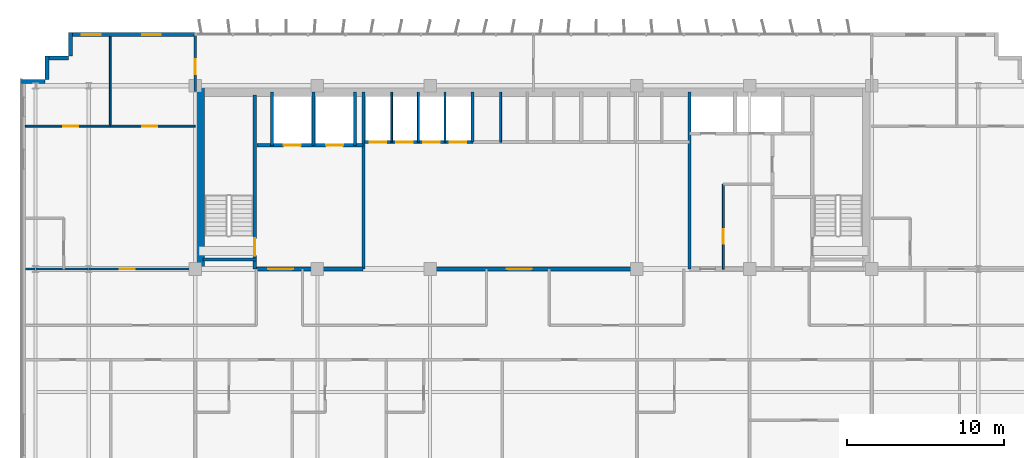
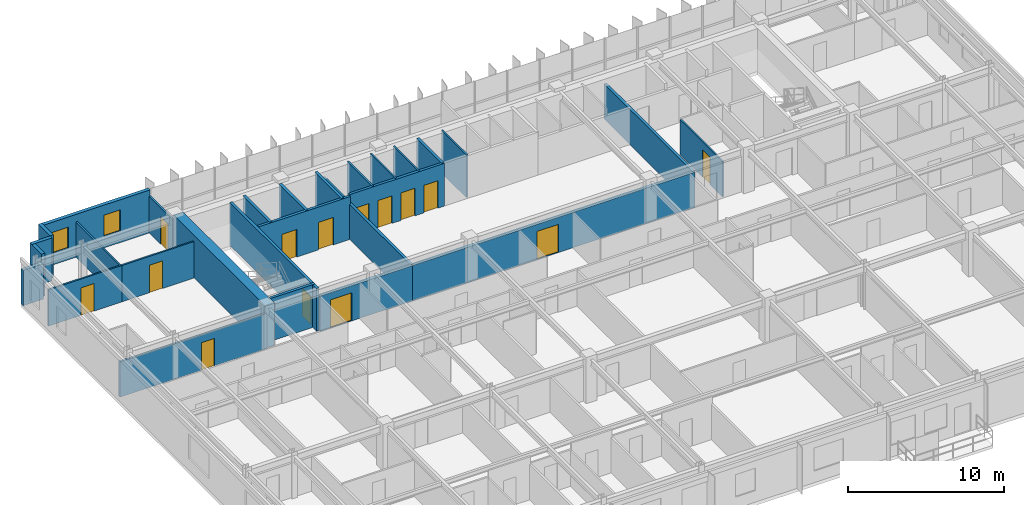
# One storey, part 17 of 22: 28 walls, 14 doors, 2 windows, 16 openings.
"""IFC4 building model written with IfcOpenShell, lengths in metres."""

from ifc_helpers import new_model, si_unit, direction, frame, frame_2d, origin, place, context, subcontext, project, spatial, rectangle, extrude, source, transform, mapped, material, layer, layer_set, type_object, element, fill, save


model = new_model("IFC4")

# Units and contexts
model_context = context("Model", 3, precision=1e-05, world=origin(), true_north=direction((0.0, 1.0)))
body_context = subcontext(model_context, "Body", "Model", "MODEL_VIEW")
ifc_project = project(units=[si_unit("LENGTHUNIT", "METRE"), si_unit("AREAUNIT", "SQUARE_METRE"), si_unit("VOLUMEUNIT", "CUBIC_METRE"), si_unit("PLANEANGLEUNIT", "RADIAN"), si_unit("MASSUNIT", "GRAM", prefix="KILO")], contexts=[model_context])

# Site, building, storey
site_placement = place(None, origin())
site = spatial("IfcSite", under=ifc_project, at=site_placement, CompositionType="ELEMENT")
building_placement = place(site_placement, origin())
building = spatial("IfcBuilding", under=site, at=building_placement, Name="Trelvane Seafront Commons", CompositionType="ELEMENT")
storey_placement = place(building_placement, frame((0.0, 0.0, 117.699951171875)))
storey = spatial("IfcBuildingStorey", under=building, at=storey_placement, Name="L30", CompositionType="ELEMENT", Elevation=117.699951171875)

# Wall, openings, windows
ifc_material_1 = material(Name="Precast concrete C40/50", Category="concrete")
ifc_layer_1 = layer(ifc_material_1, 0.260009765625, Name="ARCH-WALL-EXT260")
ifc_layer_set_1 = layer_set([ifc_layer_1], Name="Precast concrete C40/50")
wall_type_1 = type_object("IfcWallType", Name="ARCH-WALL-EXT260", PredefinedType="SOLIDWALL", material=ifc_layer_set_1)
wall_1_placement = place(storey_placement, frame((7.60009765625, 48.3701171875, 0.0), z_axis=(0.0, 0.0, 1.0), x_axis=(1.0, 0.0, 0.0)))
wall_1 = element("IfcWall", 1, at=wall_1_placement, inside=storey, type_object=wall_type_1, Name="EW-L30-NW-0559", PredefinedType="SOLIDWALL", context=body_context, shape_type="SweptSolid", body=[
    extrude(rectangle(XDim=8.0, YDim=0.260009765625, at=frame_2d((4.0, 0.0))), origin(), (0.0, 0.0, 1.0), 3.340087890625),
])
opening_1_placement = place(wall_1_placement, frame((0.76806640625, 0.0, 0.89990234375)))
opening_1 = element("IfcOpeningElement", 2, at=opening_1_placement, cuts=wall_1, Name="Opening W05", PredefinedType="OPENING", context=body_context, shape_type="SweptSolid", body=[
    extrude(rectangle(XDim=1.199951171875, YDim=1.64990234375, at=frame_2d((0.60009765625, 0.824951171875))), frame((0.0, 0.139892578125, 0.0), z_axis=(0.0, -1.0, 0.0), x_axis=(1.0, 0.0, 0.0)), (0.0, 0.0, 1.0), 0.280029296875),
])
opening_2_placement = place(wall_1_placement, frame((4.60791015625, 0.0, 0.89990234375)))
opening_2 = element("IfcOpeningElement", 3, at=opening_2_placement, cuts=wall_1, Name="Opening W05", PredefinedType="OPENING", context=body_context, shape_type="SweptSolid", body=[
    extrude(rectangle(XDim=1.199951171875, YDim=1.64990234375, at=frame_2d((0.60009765625, 0.824951171875))), frame((0.0, 0.139892578125, 0.0), z_axis=(0.0, -1.0, 0.0), x_axis=(1.0, 0.0, 0.0)), (0.0, 0.0, 1.0), 0.280029296875),
])
ifc_material_2 = material(Name="Low-E coastal double glazing", Category="glass")
window_type = type_object("IfcWindowType", Name="ARCH-WIN-W05", PartitioningType="SINGLE_PANEL", PredefinedType="WINDOW", material=ifc_material_2)
shared_shape_1 = source(origin(), body_context, "Body", "SweptSolid", [
    extrude(rectangle(XDim=1.199951171875, YDim=1.64990234375, at=frame_2d((0.60009765625, 0.824951171875))), frame((0.0, 0.030029296875, 0.0), z_axis=(0.0, -1.0, 0.0), x_axis=(1.0, 0.0, 0.0)), (0.0, 0.0, 1.0), 0.06005859375),
])
window_1_placement = place(opening_1_placement, origin())
window_1 = element("IfcWindow", 4, at=window_1_placement, inside=storey, type_object=window_type, Name="WIN-L30-00665", OverallHeight=1.64990234375, OverallWidth=1.199951171875, PartitioningType="SINGLE_PANEL", PredefinedType="WINDOW", context=body_context, shape_type="MappedRepresentation", body=[
    mapped(shared_shape_1, transform((0.0, 0.0, 0.0), x_axis=(1.0, 0.0, 0.0), y_axis=(0.0, 1.0, 0.0), z_axis=(0.0, 0.0, 1.0), scale=1.0)),
])
fill(opening_1, window_1)
window_2_placement = place(opening_2_placement, origin())
window_2 = element("IfcWindow", 5, at=window_2_placement, inside=storey, type_object=window_type, Name="WIN-L30-00666", OverallHeight=1.64990234375, OverallWidth=1.199951171875, PartitioningType="SINGLE_PANEL", PredefinedType="WINDOW", context=body_context, shape_type="MappedRepresentation", body=[
    mapped(shared_shape_1, transform((0.0, 0.0, 0.0), x_axis=(1.0, 0.0, 0.0), y_axis=(0.0, 1.0, 0.0), z_axis=(0.0, 0.0, 1.0), scale=1.0)),
])
fill(opening_2, window_2)

# Walls
wall_2_placement = place(storey_placement, frame((4.5, 45.3701171875, 0.0), z_axis=(0.0, 0.0, 1.0), x_axis=(1.0, 0.0, 0.0)))
element("IfcWall", 6, at=wall_2_placement, inside=storey, type_object=wall_type_1, Name="EW-L30-00565", PredefinedType="SOLIDWALL", context=body_context, shape_type="SweptSolid", body=[
    extrude(rectangle(XDim=1.5, YDim=0.260009765625, at=frame_2d((0.75, 0.0))), origin(), (0.0, 0.0, 1.0), 2.751953125),
])
for number, where, z_axis, x_axis, name in (
    (7, (6.1298828125, 45.5, 0.0), (0.0, 0.0, 1.0), (0.0, 1.0, 0.0), "EW-L30-00566"),
    (8, (6.0, 46.8701171875, 0.0), (0.0, 0.0, 1.0), (1.0, 0.0, 0.0), "EW-L30-00567"),
    (9, (7.6298828125, 47.0, 0.0), (0.0, 0.0, 1.0), (0.0, 1.0, 0.0), "EW-L30-00568"),
):
    element("IfcWall", number, at=place(storey_placement, frame(where, z_axis=z_axis, x_axis=x_axis)), inside=storey, type_object=wall_type_1, Name=name, PredefinedType="SOLIDWALL", context=body_context, shape_type="SweptSolid", body=[
        extrude(rectangle(XDim=1.5, YDim=0.260009765625, at=frame_2d((0.75, 0.0))), origin(), (0.0, 0.0, 1.0), 3.340087890625),
    ])

# Wall, opening, door
ifc_material_3 = material(Name="Concrete C40/50", Category="concrete")
ifc_layer_2 = layer(ifc_material_3, 0.25, Name="ARCH-WALL-FIRE250")
ifc_layer_set_2 = layer_set([ifc_layer_2], Name="Concrete C40/50")
wall_type_2 = type_object("IfcWallType", Name="ARCH-WALL-FIRE250", PredefinedType="PARTITIONING", material=ifc_layer_set_2)
wall_3_placement = place(storey_placement, frame((19.5, 33.39990234375, 0.0), z_axis=(0.0, 0.0, 1.0), x_axis=(1.0, 0.0, 0.0)))
wall_3 = element("IfcWall", 10, at=wall_3_placement, inside=storey, type_object=wall_type_2, Name="W-L30-CS-FFL-013", PredefinedType="PARTITIONING", context=body_context, shape_type="SweptSolid", body=[
    extrude(rectangle(XDim=6.800048828125, YDim=0.25, at=frame_2d((3.39990234375, 0.0))), origin(), (0.0, 0.0, 1.0), 2.751953125),
])
opening_3_placement = place(wall_3_placement, frame((0.75, 0.0, 0.0)))
opening_3 = element("IfcOpeningElement", 11, at=opening_3_placement, cuts=wall_3, Name="Opening FD-L30-05", PredefinedType="OPENING", context=body_context, shape_type="SweptSolid", body=[
    extrude(rectangle(XDim=1.60009765625, YDim=2.199951171875, at=frame_2d((0.800048828125, 1.10009765625))), frame((0.0, 0.135009765625, 0.0), z_axis=(0.0, -1.0, 0.0), x_axis=(1.0, 0.0, 0.0)), (0.0, 0.0, 1.0), 0.27001953125),
])
ifc_material_4 = material(Name="Powder-coated aluminium frame", Category="aluminium")
door_type_1 = type_object("IfcDoorType", Name="ARCH-DR-FD60-1600", OperationType="DOUBLE_DOOR_SINGLE_SWING", PredefinedType="DOOR", material=ifc_material_4)
shared_shape_2 = source(origin(), body_context, "Body", "SweptSolid", [
    extrude(rectangle(XDim=1.60009765625, YDim=2.199951171875, at=frame_2d((0.800048828125, 1.10009765625))), frame((0.0, 0.02490234375, 0.0), z_axis=(0.0, -1.0, 0.0), x_axis=(1.0, 0.0, 0.0)), (0.0, 0.0, 1.0), 0.050048828125),
])
door_1_placement = place(opening_3_placement, origin())
door_1 = element("IfcDoor", 12, at=door_1_placement, inside=storey, type_object=door_type_1, Name="L30 Firefighting Lift Lobby Double Fire Door", OperationType="DOUBLE_DOOR_SINGLE_SWING", OverallHeight=2.199951171875, OverallWidth=1.60009765625, PredefinedType="DOOR", context=body_context, shape_type="MappedRepresentation", body=[
    mapped(shared_shape_2, transform((0.0, 0.0, 0.0), x_axis=(1.0, 0.0, 0.0), y_axis=(0.0, 1.0, 0.0), z_axis=(0.0, 0.0, 1.0), scale=1.0)),
])
fill(opening_3, door_1)

wall_4_placement = place(storey_placement, frame((26.300048828125, 33.39990234375, 0.0), z_axis=(0.0, 0.0, 1.0), x_axis=(1.0, 0.0, 0.0)))
wall_4 = element("IfcWall", 13, at=wall_4_placement, inside=storey, type_object=wall_type_2, Name="W-L30-CS-PAX-029", PredefinedType="PARTITIONING", context=body_context, shape_type="SweptSolid", body=[
    extrude(rectangle(XDim=20.849853515625, YDim=0.25, at=frame_2d((10.4248046875, 0.0))), origin(), (0.0, 0.0, 1.0), 2.751953125),
])
opening_4_placement = place(wall_4_placement, frame((9.199951171875, 0.0, 0.0)))
opening_4 = element("IfcOpeningElement", 14, at=opening_4_placement, cuts=wall_4, Name="Opening FD-L30-10", PredefinedType="OPENING", context=body_context, shape_type="SweptSolid", body=[
    extrude(rectangle(XDim=1.60009765625, YDim=2.199951171875, at=frame_2d((0.800048828125, 1.10009765625))), frame((0.0, 0.135009765625, 0.0), z_axis=(0.0, -1.0, 0.0), x_axis=(1.0, 0.0, 0.0)), (0.0, 0.0, 1.0), 0.27001953125),
])
door_2_placement = place(opening_4_placement, origin())
door_2 = element("IfcDoor", 15, at=door_2_placement, inside=storey, type_object=door_type_1, Name="L30 Passenger Lift Lobby Double Door", OperationType="DOUBLE_DOOR_SINGLE_SWING", OverallHeight=2.199951171875, OverallWidth=1.60009765625, PredefinedType="DOOR", context=body_context, shape_type="MappedRepresentation", body=[
    mapped(shared_shape_2, transform((0.0, 0.0, 0.0), x_axis=(1.0, 0.0, 0.0), y_axis=(0.0, 1.0, 0.0), z_axis=(0.0, 0.0, 1.0), scale=1.0)),
])
fill(opening_4, door_2)

# Walls
ifc_material_5 = material(Name="Gypsum Drywall Acoustic Partition")
ifc_layer_3 = layer(ifc_material_5, 0.1201171875, Name="ARCH-WALL-PART120")
ifc_layer_set_3 = layer_set([ifc_layer_3], Name="Gypsum Drywall Acoustic Partition")
wall_type_3 = type_object("IfcWallType", Name="ARCH-WALL-PART120", PredefinedType="PARTITIONING", material=ifc_layer_set_3)
for number, where, z_axis, x_axis, name in (
    (16, (28.14990234375, 41.5, 0.0), (0.0, 0.0, 1.0), (0.0, 1.0, 0.0), "W-L30-PL-DIV1-016"),
    (17, (29.85009765625, 41.5, 0.0), (0.0, 0.0, 1.0), (0.0, 1.0, 0.0), "W-L30-PL-DIV2-017"),
    (18, (31.550048828125, 41.5, 0.0), (0.0, 0.0, 1.0), (0.0, 1.0, 0.0), "W-L30-PL-DIV3-018"),
    (19, (35.10009765625, 41.5, 0.0), (0.0, 0.0, 1.0), (0.0, 1.0, 0.0), "W-L30-PM-DIV1-020"),
):
    element("IfcWall", number, at=place(storey_placement, frame(where, z_axis=z_axis, x_axis=x_axis)), inside=storey, type_object=wall_type_3, Name=name, PredefinedType="PARTITIONING", context=body_context, shape_type="SweptSolid", body=[
        extrude(rectangle(XDim=3.199951171875, YDim=0.1201171875, at=frame_2d((1.60009765625, 0.0))), origin(), (0.0, 0.0, 1.0), 3.340087890625),
    ])

# Wall, opening, door
wall_5_placement = place(storey_placement, frame((49.320068359375, 33.39990234375, 0.0), z_axis=(0.0, 0.0, 1.0), x_axis=(0.0, 1.0, 0.0)))
wall_5 = element("IfcWall", 20, at=wall_5_placement, inside=storey, type_object=wall_type_3, Name="W-L30-CYC2-V-035", PredefinedType="PARTITIONING", context=body_context, shape_type="SweptSolid", body=[
    extrude(rectangle(XDim=5.420166015625, YDim=0.1201171875, at=frame_2d((2.7099609375, 0.0))), origin(), (0.0, 0.0, 1.0), 2.751953125),
])
opening_5_placement = place(wall_5_placement, frame((1.60009765625, 0.0, 0.0)))
opening_5 = element("IfcOpeningElement", 21, at=opening_5_placement, cuts=wall_5, Name="Opening D-L30-14", PredefinedType="OPENING", context=body_context, shape_type="SweptSolid", body=[
    extrude(rectangle(XDim=0.949951171875, YDim=2.14990234375, at=frame_2d((0.47509765625, 1.074951171875))), frame((0.0, 0.070068359375, 0.0), z_axis=(0.0, -1.0, 0.0), x_axis=(1.0, 0.0, 0.0)), (0.0, 0.0, 1.0), 0.14013671875),
])
ifc_material_6 = material(Name="Acoustic timber door leaf", Category="wood")
door_type_2 = type_object("IfcDoorType", Name="ARCH-DR-INT950", OperationType="NOTDEFINED", PredefinedType="DOOR", material=ifc_material_6)
shared_shape_3 = source(origin(), body_context, "Body", "SweptSolid", [
    extrude(rectangle(XDim=0.949951171875, YDim=2.14990234375, at=frame_2d((0.47509765625, 1.074951171875))), frame((0.0, 0.02490234375, 0.0), z_axis=(0.0, -1.0, 0.0), x_axis=(1.0, 0.0, 0.0)), (0.0, 0.0, 1.0), 0.050048828125),
])
door_3_placement = place(opening_5_placement, origin())
door_3 = element("IfcDoor", 22, at=door_3_placement, inside=storey, type_object=door_type_2, Name="L30 Accessible WC Door", OperationType="SINGLE_SWING_RIGHT", OverallHeight=2.14990234375, OverallWidth=0.949951171875, PredefinedType="DOOR", context=body_context, shape_type="MappedRepresentation", body=[
    mapped(shared_shape_3, transform((0.0, 0.0, 0.0), x_axis=(1.0, 0.0, 0.0), y_axis=(0.0, 1.0, 0.0), z_axis=(0.0, 0.0, 1.0), scale=1.0)),
])
fill(opening_5, door_3)

wall_6_placement = place(storey_placement, frame((4.75, 42.52001953125, 0.0), z_axis=(0.0, 0.0, 1.0), x_axis=(1.0, 0.0, 0.0)))
wall_6 = element("IfcWall", 23, at=wall_6_placement, inside=storey, type_object=wall_type_3, Name="W-L30-NW-KB1-051", PredefinedType="PARTITIONING", context=body_context, shape_type="SweptSolid", body=[
    extrude(rectangle(XDim=5.425048828125, YDim=0.1201171875, at=frame_2d((2.71240234375, 0.0))), origin(), (0.0, 0.0, 1.0), 2.840087890625),
])
opening_6_placement = place(wall_6_placement, frame((2.423095703125, 0.0, 0.0)))
opening_6 = element("IfcOpeningElement", 24, at=opening_6_placement, cuts=wall_6, Name="Opening D-L30-23", PredefinedType="OPENING", context=body_context, shape_type="SweptSolid", body=[
    extrude(rectangle(XDim=0.949951171875, YDim=2.14990234375, at=frame_2d((0.47509765625, 1.074951171875))), frame((0.0, 0.070068359375, 0.0), z_axis=(0.0, -1.0, 0.0), x_axis=(1.0, 0.0, 0.0)), (0.0, 0.0, 1.0), 0.14013671875),
])
door_4_placement = place(opening_6_placement, origin())
door_4 = element("IfcDoor", 25, at=door_4_placement, inside=storey, type_object=door_type_2, Name="L30 Door 23", OperationType="SINGLE_SWING_LEFT", OverallHeight=2.14990234375, OverallWidth=0.949951171875, PredefinedType="DOOR", context=body_context, shape_type="MappedRepresentation", body=[
    mapped(shared_shape_3, transform((0.0, 0.0, 0.0), x_axis=(1.0, 0.0, 0.0), y_axis=(0.0, 1.0, 0.0), z_axis=(0.0, 0.0, 1.0), scale=1.0)),
])
fill(opening_6, door_4)

wall_7_placement = place(storey_placement, frame((10.175048828125, 42.52001953125, 0.0), z_axis=(0.0, 0.0, 1.0), x_axis=(1.0, 0.0, 0.0)))
wall_7 = element("IfcWall", 26, at=wall_7_placement, inside=storey, type_object=wall_type_3, Name="W-L30-NW-KB2-052", PredefinedType="PARTITIONING", context=body_context, shape_type="SweptSolid", body=[
    extrude(rectangle(XDim=5.425048828125, YDim=0.1201171875, at=frame_2d((2.71240234375, 0.0))), origin(), (0.0, 0.0, 1.0), 2.840087890625),
])
opening_7_placement = place(wall_7_placement, frame((2.052001953125, 0.0, 0.0)))
opening_7 = element("IfcOpeningElement", 27, at=opening_7_placement, cuts=wall_7, Name="Opening D-L30-24", PredefinedType="OPENING", context=body_context, shape_type="SweptSolid", body=[
    extrude(rectangle(XDim=0.949951171875, YDim=2.14990234375, at=frame_2d((0.47509765625, 1.074951171875))), frame((0.0, 0.070068359375, 0.0), z_axis=(0.0, -1.0, 0.0), x_axis=(1.0, 0.0, 0.0)), (0.0, 0.0, 1.0), 0.14013671875),
])
door_5_placement = place(opening_7_placement, origin())
door_5 = element("IfcDoor", 28, at=door_5_placement, inside=storey, type_object=door_type_2, Name="L30 Door 24", OperationType="SINGLE_SWING_RIGHT", OverallHeight=2.14990234375, OverallWidth=0.949951171875, PredefinedType="DOOR", context=body_context, shape_type="MappedRepresentation", body=[
    mapped(shared_shape_3, transform((0.0, 0.0, 0.0), x_axis=(1.0, 0.0, 0.0), y_axis=(0.0, 1.0, 0.0), z_axis=(0.0, 0.0, 1.0), scale=1.0)),
])
fill(opening_7, door_5)

# Wall
wall_8_placement = place(storey_placement, frame((10.175048828125, 42.52001953125, 0.0), z_axis=(0.0, 0.0, 1.0), x_axis=(0.0, 1.0, 0.0)))
element("IfcWall", 29, at=wall_8_placement, inside=storey, type_object=wall_type_3, Name="W-L30-NW-KBDV-053", PredefinedType="PARTITIONING", context=body_context, shape_type="SweptSolid", body=[
    extrude(rectangle(XDim=5.719970703125, YDim=0.1201171875, at=frame_2d((2.85986328125, 0.0))), origin(), (0.0, 0.0, 1.0), 2.751953125),
])

# Wall, opening, door
ifc_layer_4 = layer(ifc_material_5, 0.14990234375, Name="ARCH-WALL-PART150")
ifc_layer_set_4 = layer_set([ifc_layer_4], Name="Gypsum Drywall Acoustic Partition")
wall_type_4 = type_object("IfcWallType", Name="ARCH-WALL-PART150", PredefinedType="PARTITIONING", material=ifc_layer_set_4)
wall_9_placement = place(storey_placement, frame((4.75, 33.39990234375, 0.0), z_axis=(0.0, 0.0, 1.0), x_axis=(1.0, 0.0, 0.0)))
wall_9 = element("IfcWall", 30, at=wall_9_placement, inside=storey, type_object=wall_type_4, Name="W-L30-NW-ENT-054", PredefinedType="PARTITIONING", context=body_context, shape_type="SweptSolid", body=[
    extrude(rectangle(XDim=10.85009765625, YDim=0.14990234375, at=frame_2d((5.425048828125, 0.0))), origin(), (0.0, 0.0, 1.0), 2.751953125),
])
opening_8_placement = place(wall_9_placement, frame((6.02490234375, 0.0, 0.0)))
opening_8 = element("IfcOpeningElement", 31, at=opening_8_placement, cuts=wall_9, Name="Opening FD-L30-25", PredefinedType="OPENING", context=body_context, shape_type="SweptSolid", body=[
    extrude(rectangle(XDim=0.949951171875, YDim=2.14990234375, at=frame_2d((0.47509765625, 1.074951171875))), frame((0.0, 0.0849609375, 0.0), z_axis=(0.0, -1.0, 0.0), x_axis=(1.0, 0.0, 0.0)), (0.0, 0.0, 1.0), 0.169921875),
])
door_type_3 = type_object("IfcDoorType", Name="ARCH-DR-FD60-950", OperationType="NOTDEFINED", PredefinedType="DOOR", material=ifc_material_4)
door_6_placement = place(opening_8_placement, origin())
door_6 = element("IfcDoor", 32, at=door_6_placement, inside=storey, type_object=door_type_3, Name="L30 NW Flat Entrance Door", OperationType="SINGLE_SWING_LEFT", OverallHeight=2.14990234375, OverallWidth=0.949951171875, PredefinedType="DOOR", context=body_context, shape_type="MappedRepresentation", body=[
    mapped(shared_shape_3, transform((0.0, 0.0, 0.0), x_axis=(1.0, 0.0, 0.0), y_axis=(0.0, 1.0, 0.0), z_axis=(0.0, 0.0, 1.0), scale=1.0)),
])
fill(opening_8, door_6)

wall_10_placement = place(storey_placement, frame((15.60009765625, 44.75, 0.0), z_axis=(0.0, 0.0, 1.0), x_axis=(0.0, 1.0, 0.0)))
wall_10 = element("IfcWall", 33, at=wall_10_placement, inside=storey, type_object=wall_type_4, Name="W-L30-N-LINK-W-062", PredefinedType="PARTITIONING", context=body_context, shape_type="SweptSolid", body=[
    extrude(rectangle(XDim=3.610107421875, YDim=0.14990234375, at=frame_2d((1.80517578125, 0.0))), origin(), (0.0, 0.0, 1.0), 2.840087890625),
])
opening_9_placement = place(wall_10_placement, frame((1.10009765625, 0.0, 0.0)))
opening_9 = element("IfcOpeningElement", 34, at=opening_9_placement, cuts=wall_10, Name="Opening FD-L30-31", PredefinedType="OPENING", context=body_context, shape_type="SweptSolid", body=[
    extrude(rectangle(XDim=0.949951171875, YDim=2.14990234375, at=frame_2d((0.47509765625, 1.074951171875))), frame((0.0, 0.0849609375, 0.0), z_axis=(0.0, -1.0, 0.0), x_axis=(1.0, 0.0, 0.0)), (0.0, 0.0, 1.0), 0.169921875),
])
door_7_placement = place(opening_9_placement, origin())
door_7 = element("IfcDoor", 35, at=door_7_placement, inside=storey, type_object=door_type_3, Name="L30 Door 31", OperationType="SINGLE_SWING_LEFT", OverallHeight=2.14990234375, OverallWidth=0.949951171875, PredefinedType="DOOR", context=body_context, shape_type="MappedRepresentation", body=[
    mapped(shared_shape_3, transform((0.0, 0.0, 0.0), x_axis=(1.0, 0.0, 0.0), y_axis=(0.0, 1.0, 0.0), z_axis=(0.0, 0.0, 1.0), scale=1.0)),
])
fill(opening_9, door_7)

# Wall, openings, doors
ifc_layer_5 = layer(ifc_material_3, 0.199951171875, Name="ARCH-WALL-SHAFT200")
ifc_layer_set_5 = layer_set([ifc_layer_5], Name="Concrete C40/50")
wall_type_5 = type_object("IfcWallType", Name="ARCH-WALL-SHAFT200", PredefinedType="SOLIDWALL", material=ifc_layer_set_5)
wall_11_placement = place(storey_placement, frame((19.550048828125, 41.300048828125, 0.0), z_axis=(0.0, 0.0, 1.0), x_axis=(1.0, 0.0, 0.0)))
wall_11 = element("IfcWall", 36, at=wall_11_placement, inside=storey, type_object=wall_type_5, Name="W-L30-FFL-FRONT-008", PredefinedType="SOLIDWALL", context=body_context, shape_type="SweptSolid", body=[
    extrude(rectangle(XDim=6.75, YDim=0.199951171875, at=frame_2d((3.375, 0.0))), origin(), (0.0, 0.0, 1.0), 3.340087890625),
])
opening_10_placement = place(wall_11_placement, frame((1.699951171875, 0.0, 0.0)))
opening_10 = element("IfcOpeningElement", 37, at=opening_10_placement, cuts=wall_11, Name="Opening LD-FF1-L30", PredefinedType="OPENING", context=body_context, shape_type="SweptSolid", body=[
    extrude(rectangle(XDim=1.10009765625, YDim=2.14990234375, at=frame_2d((0.550048828125, 1.074951171875))), frame((0.0, 0.10986328125, 0.0), z_axis=(0.0, -1.0, 0.0), x_axis=(1.0, 0.0, 0.0)), (0.0, 0.0, 1.0), 0.219970703125),
])
opening_11_placement = place(wall_11_placement, frame((4.39990234375, 0.0, 0.0)))
opening_11 = element("IfcOpeningElement", 38, at=opening_11_placement, cuts=wall_11, Name="Opening LD-FF2-L30", PredefinedType="OPENING", context=body_context, shape_type="SweptSolid", body=[
    extrude(rectangle(XDim=1.10009765625, YDim=2.14990234375, at=frame_2d((0.550048828125, 1.074951171875))), frame((0.0, 0.10986328125, 0.0), z_axis=(0.0, -1.0, 0.0), x_axis=(1.0, 0.0, 0.0)), (0.0, 0.0, 1.0), 0.219970703125),
])
ifc_material_7 = material(Name="Stainless steel balustrade", Category="steel")
door_type_4 = type_object("IfcDoorType", Name="ARCH-DR-LD1100", OperationType="DOUBLE_DOOR_SLIDING", PredefinedType="DOOR", material=ifc_material_7)
shared_shape_4 = source(origin(), body_context, "Body", "SweptSolid", [
    extrude(rectangle(XDim=1.10009765625, YDim=2.14990234375, at=frame_2d((0.550048828125, 1.074951171875))), frame((0.0, 0.02490234375, 0.0), z_axis=(0.0, -1.0, 0.0), x_axis=(1.0, 0.0, 0.0)), (0.0, 0.0, 1.0), 0.050048828125),
])
door_8_placement = place(opening_10_placement, origin())
door_8 = element("IfcDoor", 39, at=door_8_placement, inside=storey, type_object=door_type_4, Name="L30 Firefighting Lift FFL-1 Landing Door", OperationType="DOUBLE_DOOR_SLIDING", OverallHeight=2.14990234375, OverallWidth=1.10009765625, PredefinedType="DOOR", context=body_context, shape_type="MappedRepresentation", body=[
    mapped(shared_shape_4, transform((0.0, 0.0, 0.0), x_axis=(1.0, 0.0, 0.0), y_axis=(0.0, 1.0, 0.0), z_axis=(0.0, 0.0, 1.0), scale=1.0)),
])
fill(opening_10, door_8)
door_9_placement = place(opening_11_placement, origin())
door_9 = element("IfcDoor", 40, at=door_9_placement, inside=storey, type_object=door_type_4, Name="L30 Firefighting Lift FFL-2 Landing Door", OperationType="DOUBLE_DOOR_SLIDING", OverallHeight=2.14990234375, OverallWidth=1.10009765625, PredefinedType="DOOR", context=body_context, shape_type="MappedRepresentation", body=[
    mapped(shared_shape_4, transform((0.0, 0.0, 0.0), x_axis=(1.0, 0.0, 0.0), y_axis=(0.0, 1.0, 0.0), z_axis=(0.0, 0.0, 1.0), scale=1.0)),
])
fill(opening_11, door_9)

# Walls
for number, where, z_axis, x_axis, name in (
    (41, (20.5, 41.300048828125, 0.0), (0.0, 0.0, 1.0), (0.0, 1.0, 0.0), "W-L30-FFL-SH-W-009"),
    (42, (23.14990234375, 41.300048828125, 0.0), (0.0, 0.0, 1.0), (0.0, 1.0, 0.0), "W-L30-FFL-DIV-010"),
    (43, (25.800048828125, 41.300048828125, 0.0), (0.0, 0.0, 1.0), (0.0, 1.0, 0.0), "W-L30-FFL-SH-E-011"),
):
    element("IfcWall", number, at=place(storey_placement, frame(where, z_axis=z_axis, x_axis=x_axis)), inside=storey, type_object=wall_type_5, Name=name, PredefinedType="SOLIDWALL", context=body_context, shape_type="SweptSolid", body=[
        extrude(rectangle(XDim=3.39990234375, YDim=0.199951171875, at=frame_2d((1.699951171875, 0.0))), origin(), (0.0, 0.0, 1.0), 3.340087890625),
    ])
wall_12_placement = place(storey_placement, frame((26.35009765625, 33.39990234375, 0.0), z_axis=(0.0, 0.0, 1.0), x_axis=(0.0, 1.0, 0.0)))
element("IfcWall", 44, at=wall_12_placement, inside=storey, type_object=wall_type_5, Name="W-L30-FFL-EAST-012", PredefinedType="SOLIDWALL", context=body_context, shape_type="SweptSolid", body=[
    extrude(rectangle(XDim=11.300048828125, YDim=0.199951171875, at=frame_2d((5.64990234375, 0.0))), origin(), (0.0, 0.0, 1.0), 2.751953125),
])

# Wall, openings, doors
wall_13_placement = place(storey_placement, frame((26.39990234375, 41.5, 0.0), z_axis=(0.0, 0.0, 1.0), x_axis=(1.0, 0.0, 0.0)))
wall_13 = element("IfcWall", 45, at=wall_13_placement, inside=storey, type_object=wall_type_5, Name="W-L30-PL-FRONT-014", PredefinedType="SOLIDWALL", context=body_context, shape_type="SweptSolid", body=[
    extrude(rectangle(XDim=6.9501953125, YDim=0.199951171875, at=frame_2d((3.47509765625, 0.0))), origin(), (0.0, 0.0, 1.0), 3.340087890625),
])
opening_12_placement = place(wall_13_placement, frame((0.35009765625, 0.0, 0.0)))
opening_12 = element("IfcOpeningElement", 46, at=opening_12_placement, cuts=wall_13, Name="Opening LD-PL1-L30", PredefinedType="OPENING", context=body_context, shape_type="SweptSolid", body=[
    extrude(rectangle(XDim=1.050048828125, YDim=2.14990234375, at=frame_2d((0.52490234375, 1.074951171875))), frame((0.0, 0.10986328125, 0.0), z_axis=(0.0, -1.0, 0.0), x_axis=(1.0, 0.0, 0.0)), (0.0, 0.0, 1.0), 0.219970703125),
])
opening_13_placement = place(wall_13_placement, frame((2.050048828125, 0.0, 0.0)))
opening_13 = element("IfcOpeningElement", 47, at=opening_13_placement, cuts=wall_13, Name="Opening LD-PL2-L30", PredefinedType="OPENING", context=body_context, shape_type="SweptSolid", body=[
    extrude(rectangle(XDim=1.050048828125, YDim=2.14990234375, at=frame_2d((0.52490234375, 1.074951171875))), frame((0.0, 0.10986328125, 0.0), z_axis=(0.0, -1.0, 0.0), x_axis=(1.0, 0.0, 0.0)), (0.0, 0.0, 1.0), 0.219970703125),
])
opening_14_placement = place(wall_13_placement, frame((3.75, 0.0, 0.0)))
opening_14 = element("IfcOpeningElement", 48, at=opening_14_placement, cuts=wall_13, Name="Opening LD-PL3-L30", PredefinedType="OPENING", context=body_context, shape_type="SweptSolid", body=[
    extrude(rectangle(XDim=1.050048828125, YDim=2.14990234375, at=frame_2d((0.52490234375, 1.074951171875))), frame((0.0, 0.10986328125, 0.0), z_axis=(0.0, -1.0, 0.0), x_axis=(1.0, 0.0, 0.0)), (0.0, 0.0, 1.0), 0.219970703125),
])
opening_15_placement = place(wall_13_placement, frame((5.449951171875, 0.0, 0.0)))
opening_15 = element("IfcOpeningElement", 49, at=opening_15_placement, cuts=wall_13, Name="Opening LD-PL4-L30", PredefinedType="OPENING", context=body_context, shape_type="SweptSolid", body=[
    extrude(rectangle(XDim=1.050048828125, YDim=2.14990234375, at=frame_2d((0.52490234375, 1.074951171875))), frame((0.0, 0.10986328125, 0.0), z_axis=(0.0, -1.0, 0.0), x_axis=(1.0, 0.0, 0.0)), (0.0, 0.0, 1.0), 0.219970703125),
])
door_type_5 = type_object("IfcDoorType", Name="ARCH-DR-LD1050", OperationType="DOUBLE_DOOR_SLIDING", PredefinedType="DOOR", material=ifc_material_7)
shared_shape_5 = source(origin(), body_context, "Body", "SweptSolid", [
    extrude(rectangle(XDim=1.050048828125, YDim=2.14990234375, at=frame_2d((0.52490234375, 1.074951171875))), frame((0.0, 0.02490234375, 0.0), z_axis=(0.0, -1.0, 0.0), x_axis=(1.0, 0.0, 0.0)), (0.0, 0.0, 1.0), 0.050048828125),
])
door_10_placement = place(opening_12_placement, origin())
door_10 = element("IfcDoor", 50, at=door_10_placement, inside=storey, type_object=door_type_5, Name="L30 Passenger Lift PL-1 Landing Door", OperationType="DOUBLE_DOOR_SLIDING", OverallHeight=2.14990234375, OverallWidth=1.050048828125, PredefinedType="DOOR", context=body_context, shape_type="MappedRepresentation", body=[
    mapped(shared_shape_5, transform((0.0, 0.0, 0.0), x_axis=(1.0, 0.0, 0.0), y_axis=(0.0, 1.0, 0.0), z_axis=(0.0, 0.0, 1.0), scale=1.0)),
])
fill(opening_12, door_10)
door_11_placement = place(opening_13_placement, origin())
door_11 = element("IfcDoor", 51, at=door_11_placement, inside=storey, type_object=door_type_5, Name="L30 Passenger Lift PL-2 Landing Door", OperationType="DOUBLE_DOOR_SLIDING", OverallHeight=2.14990234375, OverallWidth=1.050048828125, PredefinedType="DOOR", context=body_context, shape_type="MappedRepresentation", body=[
    mapped(shared_shape_5, transform((0.0, 0.0, 0.0), x_axis=(1.0, 0.0, 0.0), y_axis=(0.0, 1.0, 0.0), z_axis=(0.0, 0.0, 1.0), scale=1.0)),
])
fill(opening_13, door_11)
door_12_placement = place(opening_14_placement, origin())
door_12 = element("IfcDoor", 52, at=door_12_placement, inside=storey, type_object=door_type_5, Name="L30 Passenger Lift PL-3 Landing Door", OperationType="DOUBLE_DOOR_SLIDING", OverallHeight=2.14990234375, OverallWidth=1.050048828125, PredefinedType="DOOR", context=body_context, shape_type="MappedRepresentation", body=[
    mapped(shared_shape_5, transform((0.0, 0.0, 0.0), x_axis=(1.0, 0.0, 0.0), y_axis=(0.0, 1.0, 0.0), z_axis=(0.0, 0.0, 1.0), scale=1.0)),
])
fill(opening_14, door_12)
door_13_placement = place(opening_15_placement, origin())
door_13 = element("IfcDoor", 53, at=door_13_placement, inside=storey, type_object=door_type_5, Name="L30 Passenger Lift PL-4 Landing Door", OperationType="DOUBLE_DOOR_SLIDING", OverallHeight=2.14990234375, OverallWidth=1.050048828125, PredefinedType="DOOR", context=body_context, shape_type="MappedRepresentation", body=[
    mapped(shared_shape_5, transform((0.0, 0.0, 0.0), x_axis=(1.0, 0.0, 0.0), y_axis=(0.0, 1.0, 0.0), z_axis=(0.0, 0.0, 1.0), scale=1.0)),
])
fill(opening_15, door_13)

# Walls
wall_14_placement = place(storey_placement, frame((33.300048828125, 41.5, 0.0), z_axis=(0.0, 0.0, 1.0), x_axis=(0.0, 1.0, 0.0)))
element("IfcWall", 54, at=wall_14_placement, inside=storey, type_object=wall_type_5, Name="W-L30-PL-EAST-SH-015", PredefinedType="SOLIDWALL", context=body_context, shape_type="SweptSolid", body=[
    extrude(rectangle(XDim=3.199951171875, YDim=0.199951171875, at=frame_2d((1.60009765625, 0.0))), origin(), (0.0, 0.0, 1.0), 3.340087890625),
])
wall_15_placement = place(storey_placement, frame((47.14990234375, 33.39990234375, 0.0), z_axis=(0.0, 0.0, 1.0), x_axis=(0.0, 1.0, 0.0)))
element("IfcWall", 55, at=wall_15_placement, inside=storey, type_object=wall_type_5, Name="W-L30-PH-EAST-028", PredefinedType="SOLIDWALL", context=body_context, shape_type="SweptSolid", body=[
    extrude(rectangle(XDim=11.300048828125, YDim=0.199951171875, at=frame_2d((5.64990234375, 0.0))), origin(), (0.0, 0.0, 1.0), 2.751953125),
])
ifc_material_8 = material(Name="Concrete C60/75", Category="concrete")
ifc_layer_6 = layer(ifc_material_8, 0.699951171875, Name="STR-WALL-CORE700")
ifc_layer_set_6 = layer_set([ifc_layer_6], Name="Concrete C60/75")
wall_type_6 = type_object("IfcWallType", Name="STR-WALL-CORE700", PredefinedType="SHEAR", material=ifc_layer_set_6)
wall_16_placement = place(storey_placement, frame((15.85009765625, 33.39990234375, 0.0), z_axis=(0.0, 0.0, 1.0), x_axis=(0.0, 1.0, 0.0)))
element("IfcWall", 56, at=wall_16_placement, inside=storey, type_object=wall_type_6, Name="W-L30-CW-END-002", PredefinedType="SHEAR", context=body_context, shape_type="SweptSolid", body=[
    extrude(rectangle(XDim=11.7001953125, YDim=0.699951171875, at=frame_2d((5.85009765625, 0.0))), origin(), (0.0, 0.0, 1.0), 3.340087890625),
])
ifc_material_9 = material(Name="Concrete C50/60", Category="concrete")
ifc_layer_7 = layer(ifc_material_9, 0.199951171875, Name="STR-WALL-STAIR200")
ifc_layer_set_7 = layer_set([ifc_layer_7], Name="Concrete C50/60")
wall_type_7 = type_object("IfcWallType", Name="STR-WALL-STAIR200", PredefinedType="SHEAR", material=ifc_layer_set_7)
wall_17_placement = place(storey_placement, frame((16.10009765625, 34.0, 0.0), z_axis=(0.0, 0.0, 1.0), x_axis=(1.0, 0.0, 0.0)))
element("IfcWall", 57, at=wall_17_placement, inside=storey, type_object=wall_type_7, Name="W-L30-ST1-S-004", PredefinedType="SHEAR", context=body_context, shape_type="SweptSolid", body=[
    extrude(rectangle(XDim=3.39990234375, YDim=0.199951171875, at=frame_2d((1.699951171875, 0.0))), origin(), (0.0, 0.0, 1.0), 3.340087890625),
])

# Wall, opening, door
wall_18_placement = place(storey_placement, frame((19.39990234375, 33.39990234375, 0.0), z_axis=(0.0, 0.0, 1.0), x_axis=(0.0, 1.0, 0.0)))
wall_18 = element("IfcWall", 58, at=wall_18_placement, inside=storey, type_object=wall_type_7, Name="W-L30-ST1-E-005", PredefinedType="SHEAR", context=body_context, shape_type="SweptSolid", body=[
    extrude(rectangle(XDim=11.10009765625, YDim=0.199951171875, at=frame_2d((5.550048828125, 0.0))), origin(), (0.0, 0.0, 1.0), 3.340087890625),
])
opening_16_placement = place(wall_18_placement, frame((0.85009765625, 0.0, 0.0)))
opening_16 = element("IfcOpeningElement", 59, at=opening_16_placement, cuts=wall_18, Name="Opening ST-D1-L30", PredefinedType="OPENING", context=body_context, shape_type="SweptSolid", body=[
    extrude(rectangle(XDim=1.10009765625, YDim=2.14990234375, at=frame_2d((0.550048828125, 1.074951171875))), frame((0.0, 0.10986328125, 0.0), z_axis=(0.0, -1.0, 0.0), x_axis=(1.0, 0.0, 0.0)), (0.0, 0.0, 1.0), 0.219970703125),
])
door_type_6 = type_object("IfcDoorType", Name="ARCH-DR-FD90-1100", OperationType="NOTDEFINED", PredefinedType="DOOR", material=ifc_material_4)
door_14_placement = place(opening_16_placement, origin())
door_14 = element("IfcDoor", 60, at=door_14_placement, inside=storey, type_object=door_type_6, Name="L30 Stair ST-1 Lobby Fire Door", OperationType="SINGLE_SWING_LEFT", OverallHeight=2.14990234375, OverallWidth=1.10009765625, PredefinedType="DOOR", context=body_context, shape_type="MappedRepresentation", body=[
    mapped(shared_shape_4, transform((0.0, 0.0, 0.0), x_axis=(1.0, 0.0, 0.0), y_axis=(0.0, 1.0, 0.0), z_axis=(0.0, 0.0, 1.0), scale=1.0)),
])
fill(opening_16, door_14)

save(model, "model.ifc")
